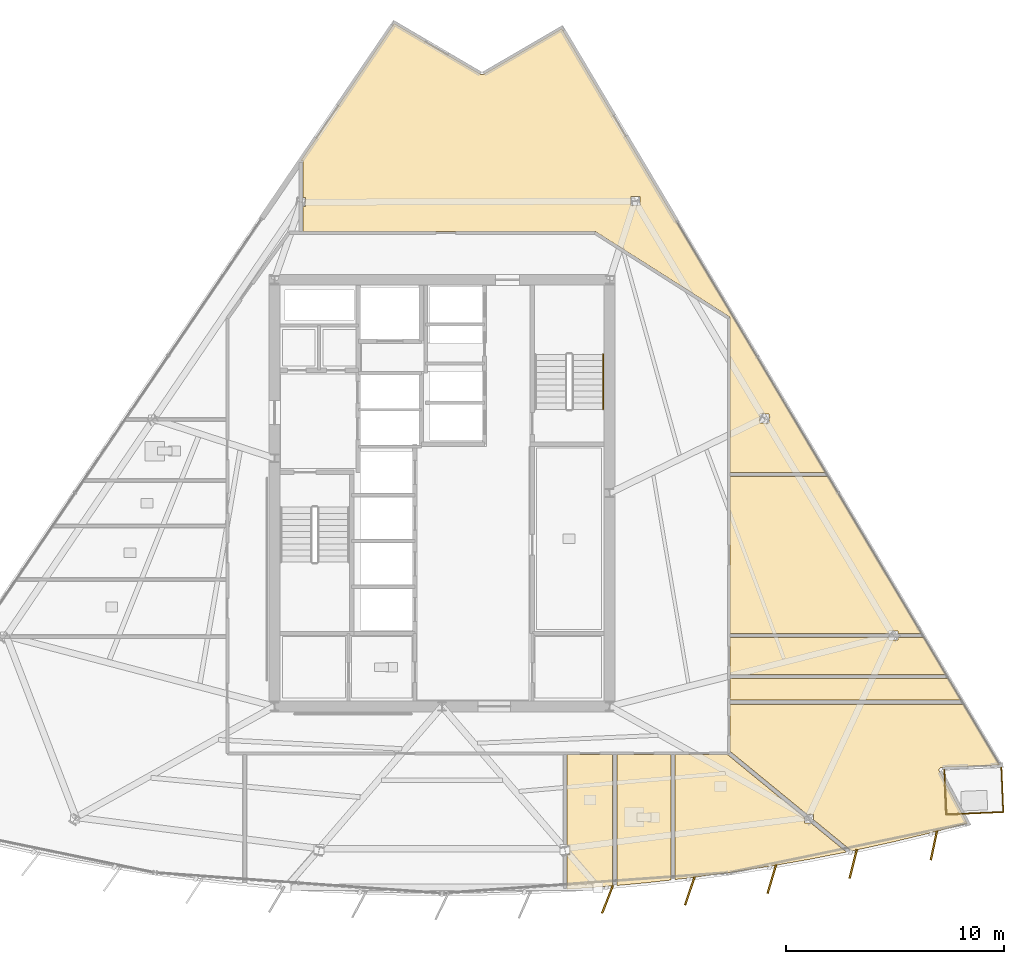
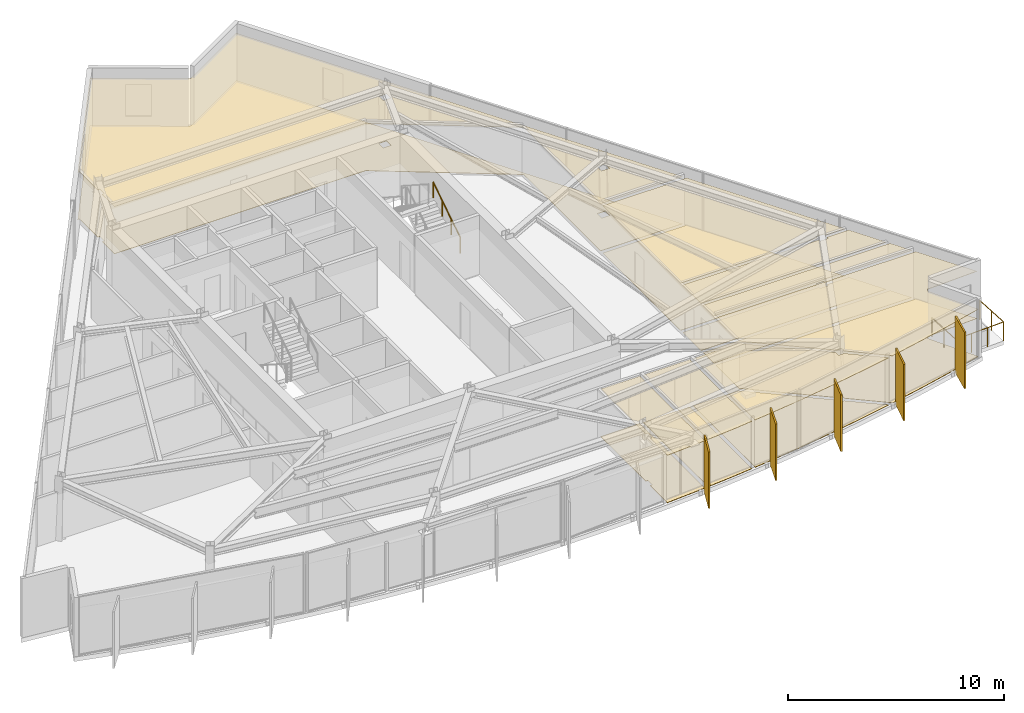
# One storey, part 14 of 15: 16 coverings, 5 shading devices, 4 railings.
"""IFC4 building model written with IfcOpenShell, lengths in metres."""

import ifcopenshell
import ifcopenshell.guid

model = None  # the IFC model being written
_history = None  # IfcOwnerHistory: only IFC2X3 demands one
_inside = {}  # id of a spatial element -> (the spatial element, [elements in it])
_under = {}  # id of a project, library or spatial element -> (it, [spatial elements below it])
_declared = {}  # id of a project -> (the project, [libraries it declares])
_typed = {}  # id of a type object -> (the type object, [elements of that type])
_made_of = {}  # id of a material, layer set ... -> (it, [elements and type objects made of it])


def new_model(schema):
    """Start an empty IFC model of exactly this schema.

    Asked for "IFC4X3", IfcOpenShell would pick the latest addendum, in which some entities
    have other attributes; the version numbers below select the first issue.
    IFC2X3 requires an IfcOwnerHistory on every rooted entity: one is made here for all.
    """
    global model, _history
    if schema == "IFC4X3":
        model = ifcopenshell.file(schema_version=(4, 3, 0, 0))
    else:
        model = ifcopenshell.file(schema=schema)
    _inside.clear()
    _under.clear()
    _declared.clear()
    _typed.clear()
    _made_of.clear()
    _history = None
    if model.schema == "IFC2X3":
        org = make("IfcOrganization", Name="unknown")
        user = make(
            "IfcPersonAndOrganization",
            ThePerson=make("IfcPerson", FamilyName="unknown"),
            TheOrganization=org,
        )
        app = make(
            "IfcApplication",
            ApplicationDeveloper=org,
            Version="unknown",
            ApplicationFullName="unknown",
            ApplicationIdentifier="unknown",
        )
        _history = make(
            "IfcOwnerHistory",
            OwningUser=user,
            OwningApplication=app,
            ChangeAction="ADDED",
            CreationDate=0,
        )
    return model


def make(cls, **values):
    """One entity of the class cls with the attributes given. An attribute that is None is left unset."""
    return model.create_entity(
        cls, **{name: value for name, value in values.items() if value is not None}
    )


def rooted(cls, **values):
    """An entity with a GlobalId (a new one), such as an element, a storey or a relation."""
    return make(cls, GlobalId=ifcopenshell.guid.new(), OwnerHistory=_history, **values)


def si_unit(unit_type, name, prefix=None):
    """IfcSIUnit, for example si_unit("LENGTHUNIT", "METRE", prefix="MILLI")."""
    return make("IfcSIUnit", UnitType=unit_type, Prefix=prefix, Name=name)


def assignment(units):
    """IfcUnitAssignment: the units of a project."""
    return None if units is None else make("IfcUnitAssignment", Units=units)


def point(xyz):
    """IfcCartesianPoint."""
    return None if xyz is None else make("IfcCartesianPoint", Coordinates=xyz)


def direction(xyz):
    """IfcDirection."""
    return None if xyz is None else make("IfcDirection", DirectionRatios=xyz)


def frame(location, z_axis=None, x_axis=None):
    """IfcAxis2Placement3D, a coordinate frame: its origin and axes. An axis left out is left unset."""
    return make(
        "IfcAxis2Placement3D",
        Location=point(location),
        Axis=direction(z_axis),
        RefDirection=direction(x_axis),
    )


def frame_2d(location, x_axis=None):
    """IfcAxis2Placement2D, a coordinate frame in the plane: its origin and x axis."""
    return make(
        "IfcAxis2Placement2D", Location=point(location), RefDirection=direction(x_axis)
    )


def origin():
    """The frame at (0, 0, 0) with its axes left unset."""
    return frame((0.0, 0.0, 0.0))


def origin_2d():
    """The frame at (0, 0) in the plane with its x axis left unset."""
    return frame_2d((0.0, 0.0))


def place(relative_to, where):
    """IfcLocalPlacement: puts the frame where relative to a parent placement (None: the world)."""
    return make(
        "IfcLocalPlacement", PlacementRelTo=relative_to, RelativePlacement=where
    )


def context(
    kind, dimensions, precision=None, world=None, true_north=None, identifier=None
):
    """IfcGeometricRepresentationContext, for example the 3D "Model" context."""
    return make(
        "IfcGeometricRepresentationContext",
        ContextIdentifier=identifier,
        ContextType=kind,
        CoordinateSpaceDimension=dimensions,
        Precision=precision,
        WorldCoordinateSystem=world,
        TrueNorth=true_north,
    )


def subcontext(parent, identifier, kind, view, scale=None):
    """IfcGeometricRepresentationSubContext, for example "Body" below "Model"."""
    return make(
        "IfcGeometricRepresentationSubContext",
        ContextIdentifier=identifier,
        ContextType=kind,
        ParentContext=parent,
        TargetScale=scale,
        TargetView=view,
    )


def project(units=None, contexts=None):
    """IfcProject with its units and contexts."""
    return rooted(
        "IfcProject",
        Name="project",
        RepresentationContexts=contexts,
        UnitsInContext=assignment(units),
    )


def spatial(cls, under=None, at=None, **own):
    """A site, building, storey or space (cls), placed at a placement, below another one or the project."""
    s = rooted(cls, ObjectPlacement=at, **own)
    if under is not None:
        _under.setdefault(under.id(), (under, []))[1].append(s)
    return s


def polyline(points):
    """IfcPolyline through the points."""
    return make("IfcPolyline", Points=[point(p) for p in points])


def profile(cls, at=None, kind="AREA", **sizes):
    """A parametric profile (cls). Its sizes go by their IFC names, for example OverallWidth=200.0."""
    return make(cls, ProfileType=kind, Position=at, **sizes)


def rectangle(**sizes):
    """IfcRectangleProfileDef."""
    return profile("IfcRectangleProfileDef", **sizes)


def circle(**sizes):
    """IfcCircleProfileDef."""
    return profile("IfcCircleProfileDef", **sizes)


def outline(outer, holes=None, kind="AREA"):
    """IfcArbitraryClosedProfileDef: a profile drawn as a closed curve; with holes, ...WithVoids."""
    if holes is None:
        return make("IfcArbitraryClosedProfileDef", ProfileType=kind, OuterCurve=outer)
    return make(
        "IfcArbitraryProfileDefWithVoids",
        ProfileType=kind,
        OuterCurve=outer,
        InnerCurves=holes,
    )


def extrude(swept, where, along, depth):
    """IfcExtrudedAreaSolid: the profile swept, set in the frame where, extruded along a direction by depth."""
    return make(
        "IfcExtrudedAreaSolid",
        SweptArea=swept,
        Position=where,
        ExtrudedDirection=direction(along),
        Depth=depth,
    )


def shape(context_of_items, identifier, shape_type, items):
    """IfcShapeRepresentation: the items that make up one representation, for example the "Body"."""
    return make(
        "IfcShapeRepresentation",
        ContextOfItems=context_of_items,
        RepresentationIdentifier=identifier,
        RepresentationType=shape_type,
        Items=items,
    )


def material(Name=None, Category=None):
    """IfcMaterial."""
    return make("IfcMaterial", Name=Name, Category=Category)


def layer(
    of_material, thickness, ventilated=None, Name=None, Category=None, Priority=None
):
    """IfcMaterialLayer: one layer of a wall or slab, of a material (None: an air gap)."""
    return make(
        "IfcMaterialLayer",
        Material=of_material,
        LayerThickness=thickness,
        IsVentilated=ventilated,
        Name=Name,
        Category=Category,
        Priority=Priority,
    )


def layer_set(layers, Name=None):
    """IfcMaterialLayerSet."""
    return make("IfcMaterialLayerSet", MaterialLayers=layers, LayerSetName=Name)


def made_of(thing, what):
    """Note that an element or type object is made of a material, layer set ...; save() writes the relation."""
    if what is not None:
        _made_of.setdefault(what.id(), (what, []))[1].append(thing)
    return thing


def type_object(cls, material=None, **own):
    """A type object (cls), such as IfcWallType, which elements share."""
    return made_of(rooted(cls, **own), material)


def element(
    cls,
    number,
    at=None,
    inside=None,
    cuts=None,
    type_object=None,
    material=None,
    context=None,
    identifier="Body",
    shape_type=None,
    held_by="IfcProductDefinitionShape",
    body=None,
    shapes=None,
    **own,
):
    """One element of the class cls, such as IfcWall. Its Tag is "e" and its number.

    at: its placement. inside: the storey or other place that contains it. cuts: it is an
    opening in that element (IfcRelVoidsElement). A single representation is given by context,
    identifier, shape_type and body (its items); several are given by shapes. held_by: the class
    of the entity that holds the representations. save() writes the other relations.
    """
    e = rooted(cls, Tag="e%d" % number, ObjectPlacement=at, **own)
    if body is not None:
        shapes = [shape(context, identifier, shape_type, body)]
    if shapes is not None:
        e.Representation = make(held_by, Representations=shapes)
    if inside is not None:
        _inside.setdefault(inside.id(), (inside, []))[1].append(e)
    if cuts is not None:
        rooted(
            "IfcRelVoidsElement", RelatingBuildingElement=cuts, RelatedOpeningElement=e
        )
    if type_object is not None:
        _typed.setdefault(type_object.id(), (type_object, []))[1].append(e)
    return made_of(e, material)


def aggregate(whole, parts):
    """IfcRelAggregates: a whole, such as a stair, and the parts it consists of."""
    return rooted("IfcRelAggregates", RelatingObject=whole, RelatedObjects=parts)


def save(model, path):
    """Write the relations noted so far, then the file.

    IfcRelAggregates (storeys below a building ...), IfcRelContainedInSpatialStructure (elements
    in a storey), IfcRelDefinesByType, IfcRelAssociatesMaterial and IfcRelDeclares: one each for
    every whole, place, type object, material and project.
    """
    for whole, parts in _under.values():
        aggregate(whole, parts)
    for where, things in _inside.values():
        rooted(
            "IfcRelContainedInSpatialStructure",
            RelatedElements=things,
            RelatingStructure=where,
        )
    for kind, things in _typed.values():
        rooted("IfcRelDefinesByType", RelatedObjects=things, RelatingType=kind)
    for what, things in _made_of.values():
        rooted("IfcRelAssociatesMaterial", RelatedObjects=things, RelatingMaterial=what)
    for by, libraries in _declared.values():
        rooted("IfcRelDeclares", RelatingContext=by, RelatedDefinitions=libraries)
    model.write(path)


model = new_model("IFC4")

# Units and contexts
model_context = context("Model", 3, precision=1e-05, world=origin(), true_north=direction((0.0, 1.0)))
body_context = subcontext(model_context, "Body", "Model", "MODEL_VIEW")
ifc_project = project(units=[si_unit("LENGTHUNIT", "METRE"), si_unit("AREAUNIT", "SQUARE_METRE"), si_unit("VOLUMEUNIT", "CUBIC_METRE"), si_unit("PLANEANGLEUNIT", "RADIAN"), si_unit("MASSUNIT", "GRAM", prefix="KILO")], contexts=[model_context])

# Site, building, storey
site_placement = place(None, origin())
site = spatial("IfcSite", under=ifc_project, at=site_placement, CompositionType="ELEMENT")
building_placement = place(site_placement, origin())
building = spatial("IfcBuilding", under=site, at=building_placement, Name="Savorim Split Tower", CompositionType="ELEMENT")
storey_placement = place(building_placement, frame((0.0, 0.0, 201.89990234375)))
storey = spatial("IfcBuildingStorey", under=building, at=storey_placement, Name="L53", CompositionType="ELEMENT", Elevation=201.89990234375)

# Coverings
ifc_material_1 = material(Name="Mineral Fibre Acoustic Ceiling")
ifc_layer_1 = layer(ifc_material_1, 0.02490234375)
ifc_layer_set_1 = layer_set([ifc_layer_1], Name="COV-CEIL-25")
covering_type_1 = type_object("IfcCoveringType", Name="COV-CEIL-25", PredefinedType="CEILING", material=ifc_layer_set_1)
covering_1_placement = place(storey_placement, frame((0.0, 0.0, 2.670166015625)))
element("IfcCovering", 1, at=covering_1_placement, inside=storey, type_object=covering_type_1, Name="L53 Shared Kitchen Acoustic Ceiling", PredefinedType="CEILING", context=body_context, shape_type="SweptSolid", body=[
    extrude(outline(polyline([(5.74462890625, -17.75927734375), (5.74462890625, -17.802734375), (7.55078125, -17.673095703125), (7.839111328125, -17.646484375), (7.839111328125, -11.6201171875), (5.74462890625, -11.6201171875), (5.74462890625, -15.794921875), (5.858642578125, -15.794921875), (5.858642578125, -16.201904296875), (5.74462890625, -16.201904296875), (5.74462890625, -17.75927734375)])), origin(), (0.0, 0.0, 1.0), 0.02490234375),
])
covering_2_placement = place(storey_placement, frame((0.0, 0.0, 2.670166015625)))
element("IfcCovering", 2, at=covering_2_placement, inside=storey, type_object=covering_type_1, Name="L53 Shared Bathroom Acoustic Ceiling", PredefinedType="CEILING", context=body_context, shape_type="SweptSolid", body=[
    extrude(outline(polyline([(8.029296875, -11.6201171875), (8.029296875, -17.62890625), (9.4326171875, -17.49951171875), (10.513916015625, -17.377197265625), (10.513916015625, -11.6201171875), (8.029296875, -11.6201171875)])), origin(), (0.0, 0.0, 1.0), 0.02490234375),
])
covering_3_placement = place(storey_placement, frame((0.0, 0.0, 2.670166015625)))
element("IfcCovering", 3, at=covering_3_placement, inside=storey, type_object=covering_type_1, Name="L53 Shared Kitchen Acoustic Ceiling", PredefinedType="CEILING", context=body_context, shape_type="SweptSolid", body=[
    extrude(outline(polyline([(11.310302734375, -17.287109375), (13.18359375, -17.03662109375), (15.051025390625, -16.74755859375), (16.912353515625, -16.420654296875), (18.577880859375, -16.092529296875), (16.95556640625, -14.762939453125), (16.648193359375, -14.762939453125), (16.648193359375, -14.510986328125), (13.14794921875, -11.642333984375), (13.118896484375, -11.61865234375), (13.11376953125, -11.619384765625), (13.10009765625, -11.6201171875), (10.703857421875, -11.6201171875), (10.703857421875, -17.355712890625), (11.310302734375, -17.287109375)])), origin(), (0.0, 0.0, 1.0), 0.02490234375),
])
covering_4_placement = place(storey_placement, frame((0.0, 0.0, 2.670166015625)))
element("IfcCovering", 4, at=covering_4_placement, inside=storey, type_object=covering_type_1, Name="L53 Co-Working Commons Acoustic Ceiling", PredefinedType="CEILING", context=body_context, shape_type="SweptSolid", body=[
    extrude(outline(polyline([(22.926513671875, -12.2060546875), (22.93798828125, -12.203857421875), (22.949462890625, -12.202880859375), (25.611083984375, -12.089599609375), (23.955810546875, -9.305908203125), (13.239990234375, -9.305908203125), (13.239990234375, -11.47216796875), (16.7587890625, -14.35595703125), (17.066162109375, -14.35595703125), (17.066162109375, -14.60791015625), (18.708740234375, -15.954345703125), (18.7822265625, -16.014404296875), (18.745361328125, -16.059814453125), (18.7666015625, -16.055419921875), (20.61279296875, -15.652587890625), (22.450439453125, -15.2119140625), (24.132568359375, -14.772216796875), (22.848876953125, -12.37939453125), (22.84375, -12.368896484375), (22.83984375, -12.358154296875), (22.8369140625, -12.346923828125), (22.835205078125, -12.335693359375), (22.83447265625, -12.32421875), (22.8349609375, -12.3125), (22.83642578125, -12.301025390625), (22.839111328125, -12.289794921875), (22.8427734375, -12.27880859375), (22.847412109375, -12.268310546875), (22.853271484375, -12.25830078125), (22.85986328125, -12.248779296875), (22.867431640625, -12.240234375), (22.875732421875, -12.232177734375), (22.884765625, -12.22509765625), (22.89453125, -12.21875), (22.90478515625, -12.21337890625), (22.91552734375, -12.209228515625), (22.926513671875, -12.2060546875)])), origin(), (0.0, 0.0, 1.0), 0.02490234375),
])
covering_5_placement = place(storey_placement, frame((0.0, 0.0, 2.670166015625)))
element("IfcCovering", 5, at=covering_5_placement, inside=storey, type_object=covering_type_1, Name="L53 Co-Living Bedroom Acoustic Ceiling", PredefinedType="CEILING", context=body_context, shape_type="SweptSolid", body=[
    extrude(outline(polyline([(23.843017578125, -9.11572265625), (23.25537109375, -8.127685546875), (13.239990234375, -8.127685546875), (13.239990234375, -9.11572265625), (23.843017578125, -9.11572265625)])), origin(), (0.0, 0.0, 1.0), 0.02490234375),
])
covering_6_placement = place(storey_placement, frame((0.0, 0.0, 2.670166015625)))
element("IfcCovering", 6, at=covering_6_placement, inside=storey, type_object=covering_type_1, Name="L53 Quiet Study Room Acoustic Ceiling", PredefinedType="CEILING", context=body_context, shape_type="SweptSolid", body=[
    extrude(outline(polyline([(20.540283203125, -6.3515625), (20.540283203125, -6.242919921875), (13.239990234375, -6.242919921875), (13.239990234375, -7.9375), (23.142333984375, -7.937744140625), (22.114990234375, -6.2099609375), (22.114990234375, -6.242919921875), (20.958251953125, -6.242919921875), (20.958251953125, -6.3515625), (20.540283203125, -6.3515625)])), origin(), (0.0, 0.0, 1.0), 0.02490234375),
])
covering_7_placement = place(storey_placement, frame((0.0, 0.0, 2.670166015625)))
element("IfcCovering", 7, at=covering_7_placement, inside=storey, type_object=covering_type_1, Name="L53 Maker Workshop Acoustic Ceiling", PredefinedType="CEILING", context=body_context, shape_type="SweptSolid", body=[
    extrude(outline(polyline([(20.958251953125, -6.052978515625), (22.02001953125, -6.052978515625), (22.021728515625, -6.052978515625), (17.72900390625, 1.166259765625), (13.239990234375, 1.166259765625), (13.239990234375, -6.052978515625), (20.540283203125, -6.052978515625), (20.540283203125, -5.944580078125), (20.958251953125, -5.944580078125), (20.958251953125, -6.052978515625)])), origin(), (0.0, 0.0, 1.0), 0.02490234375),
])
covering_8_placement = place(storey_placement, frame((0.0, 0.0, 2.670166015625)))
element("IfcCovering", 8, at=covering_8_placement, inside=storey, type_object=covering_type_1, Name="L53 Co-Working Commons Acoustic Ceiling", PredefinedType="CEILING", context=body_context, shape_type="SweptSolid", body=[
    extrude(outline(polyline([(1.800537109375, 19.626708984375), (1.789794921875, 19.631103515625), (1.779541015625, 19.636474609375), (-2.197021484375, 21.9736328125), (-6.48291015625, 15.673095703125), (-6.39208984375, 15.673095703125), (-6.39208984375, 13.97021484375), (-6.278076171875, 13.97021484375), (-6.278076171875, 13.563232421875), (-6.39208984375, 13.563232421875), (-6.39208984375, 12.419921875), (7.0, 12.419921875), (7.01318359375, 12.41943359375), (7.0263671875, 12.41748046875), (7.0390625, 12.414306640625), (7.051513671875, 12.41015625), (7.063720703125, 12.40478515625), (7.0751953125, 12.398193359375), (13.175048828125, 8.51806640625), (13.1865234375, 8.510009765625), (13.197265625, 8.500732421875), (13.206787109375, 8.490478515625), (13.21533203125, 8.479248046875), (13.22265625, 8.46728515625), (13.22900390625, 8.45458984375), (13.233642578125, 8.44140625), (13.2373046875, 8.427978515625), (13.2392578125, 8.4140625), (13.239990234375, 8.39990234375), (13.239990234375, 1.356201171875), (17.615966796875, 1.356201171875), (5.499267578125, 21.7333984375), (1.90087890625, 19.63623046875), (1.890625, 19.631103515625), (1.8798828125, 19.626708984375), (1.868896484375, 19.623291015625), (1.857421875, 19.62109375), (1.845947265625, 19.6201171875), (1.83447265625, 19.6201171875), (1.822998046875, 19.621337890625), (1.8115234375, 19.62353515625), (1.800537109375, 19.626708984375)]), holes=[polyline([(15.02294921875, 3.63037109375), (15.02294921875, 4.037353515625), (14.60498046875, 4.037353515625), (14.60498046875, 3.63037109375), (15.02294921875, 3.63037109375)]), polyline([(9.087646484375, 14.01904296875), (8.669677734375, 14.01904296875), (8.669677734375, 13.612060546875), (9.087646484375, 13.612060546875), (9.087646484375, 14.01904296875)])]), origin(), (0.0, 0.0, 1.0), 0.02490234375),
])
ifc_material_2 = material(Name="Porcelain Stoneware Flooring", Category="masonry")
ifc_layer_2 = layer(ifc_material_2, 0.02001953125)
ifc_layer_set_2 = layer_set([ifc_layer_2], Name="COV-FLOR-20")
covering_type_2 = type_object("IfcCoveringType", Name="COV-FLOR-20", PredefinedType="FLOORING", material=ifc_layer_set_2)
covering_9_placement = place(storey_placement, origin())
element("IfcCovering", 9, at=covering_9_placement, inside=storey, type_object=covering_type_2, Name="L53 Shared Kitchen Porcelain Flooring", PredefinedType="FLOORING", context=body_context, shape_type="SweptSolid", body=[
    extrude(outline(polyline([(5.74462890625, -17.75927734375), (5.74462890625, -17.802734375), (7.55078125, -17.673095703125), (7.839111328125, -17.646484375), (7.839111328125, -11.6201171875), (5.74462890625, -11.6201171875), (5.74462890625, -15.794921875), (5.858642578125, -15.794921875), (5.858642578125, -16.201904296875), (5.74462890625, -16.201904296875), (5.74462890625, -17.75927734375)])), origin(), (0.0, 0.0, 1.0), 0.02001953125),
])
covering_10_placement = place(storey_placement, origin())
element("IfcCovering", 10, at=covering_10_placement, inside=storey, type_object=covering_type_2, Name="L53 Shared Bathroom Porcelain Flooring", PredefinedType="FLOORING", context=body_context, shape_type="SweptSolid", body=[
    extrude(outline(polyline([(8.029296875, -11.6201171875), (8.029296875, -17.62890625), (9.4326171875, -17.49951171875), (10.513916015625, -17.377197265625), (10.513916015625, -11.6201171875), (8.029296875, -11.6201171875)])), origin(), (0.0, 0.0, 1.0), 0.02001953125),
])
covering_11_placement = place(storey_placement, origin())
element("IfcCovering", 11, at=covering_11_placement, inside=storey, type_object=covering_type_2, Name="L53 Shared Kitchen Porcelain Flooring", PredefinedType="FLOORING", context=body_context, shape_type="SweptSolid", body=[
    extrude(outline(polyline([(11.310302734375, -17.287109375), (13.18359375, -17.03662109375), (15.051025390625, -16.74755859375), (16.912353515625, -16.420654296875), (18.577880859375, -16.092529296875), (16.95556640625, -14.762939453125), (16.648193359375, -14.762939453125), (16.648193359375, -14.510986328125), (13.14794921875, -11.642333984375), (13.118896484375, -11.61865234375), (13.11376953125, -11.619384765625), (13.10009765625, -11.6201171875), (10.703857421875, -11.6201171875), (10.703857421875, -17.355712890625), (11.310302734375, -17.287109375)])), origin(), (0.0, 0.0, 1.0), 0.02001953125),
])
covering_12_placement = place(storey_placement, origin())
element("IfcCovering", 12, at=covering_12_placement, inside=storey, type_object=covering_type_2, Name="L53 Co-Working Commons Porcelain Flooring", PredefinedType="FLOORING", context=body_context, shape_type="SweptSolid", body=[
    extrude(outline(polyline([(22.926513671875, -12.2060546875), (22.93798828125, -12.203857421875), (22.949462890625, -12.202880859375), (25.611083984375, -12.089599609375), (23.955810546875, -9.305908203125), (13.239990234375, -9.305908203125), (13.239990234375, -11.47216796875), (16.7587890625, -14.35595703125), (17.066162109375, -14.35595703125), (17.066162109375, -14.60791015625), (18.708740234375, -15.954345703125), (18.7822265625, -16.014404296875), (18.745361328125, -16.059814453125), (18.7666015625, -16.055419921875), (20.61279296875, -15.652587890625), (22.450439453125, -15.2119140625), (24.132568359375, -14.772216796875), (22.848876953125, -12.37939453125), (22.84375, -12.368896484375), (22.83984375, -12.358154296875), (22.8369140625, -12.346923828125), (22.835205078125, -12.335693359375), (22.83447265625, -12.32421875), (22.8349609375, -12.3125), (22.83642578125, -12.301025390625), (22.839111328125, -12.289794921875), (22.8427734375, -12.27880859375), (22.847412109375, -12.268310546875), (22.853271484375, -12.25830078125), (22.85986328125, -12.248779296875), (22.867431640625, -12.240234375), (22.875732421875, -12.232177734375), (22.884765625, -12.22509765625), (22.89453125, -12.21875), (22.90478515625, -12.21337890625), (22.91552734375, -12.209228515625), (22.926513671875, -12.2060546875)])), origin(), (0.0, 0.0, 1.0), 0.02001953125),
])
covering_13_placement = place(storey_placement, origin())
element("IfcCovering", 13, at=covering_13_placement, inside=storey, type_object=covering_type_2, Name="L53 Co-Living Bedroom Porcelain Flooring", PredefinedType="FLOORING", context=body_context, shape_type="SweptSolid", body=[
    extrude(outline(polyline([(23.843017578125, -9.11572265625), (23.25537109375, -8.127685546875), (13.239990234375, -8.127685546875), (13.239990234375, -9.11572265625), (23.843017578125, -9.11572265625)])), origin(), (0.0, 0.0, 1.0), 0.02001953125),
])
covering_14_placement = place(storey_placement, origin())
element("IfcCovering", 14, at=covering_14_placement, inside=storey, type_object=covering_type_2, Name="L53 Quiet Study Room Porcelain Flooring", PredefinedType="FLOORING", context=body_context, shape_type="SweptSolid", body=[
    extrude(outline(polyline([(20.540283203125, -6.3515625), (20.540283203125, -6.242919921875), (13.239990234375, -6.242919921875), (13.239990234375, -7.9375), (23.142333984375, -7.937744140625), (22.114990234375, -6.2099609375), (22.114990234375, -6.242919921875), (20.958251953125, -6.242919921875), (20.958251953125, -6.3515625), (20.540283203125, -6.3515625)])), origin(), (0.0, 0.0, 1.0), 0.02001953125),
])
covering_15_placement = place(storey_placement, origin())
element("IfcCovering", 15, at=covering_15_placement, inside=storey, type_object=covering_type_2, Name="L53 Maker Workshop Porcelain Flooring", PredefinedType="FLOORING", context=body_context, shape_type="SweptSolid", body=[
    extrude(outline(polyline([(20.958251953125, -6.052978515625), (22.02001953125, -6.052978515625), (22.021728515625, -6.052978515625), (17.72900390625, 1.166259765625), (13.239990234375, 1.166259765625), (13.239990234375, -6.052978515625), (20.540283203125, -6.052978515625), (20.540283203125, -5.944580078125), (20.958251953125, -5.944580078125), (20.958251953125, -6.052978515625)])), origin(), (0.0, 0.0, 1.0), 0.02001953125),
])
covering_16_placement = place(storey_placement, origin())
element("IfcCovering", 16, at=covering_16_placement, inside=storey, type_object=covering_type_2, Name="L53 Co-Working Commons Porcelain Flooring", PredefinedType="FLOORING", context=body_context, shape_type="SweptSolid", body=[
    extrude(outline(polyline([(1.800537109375, 19.626708984375), (1.789794921875, 19.631103515625), (1.779541015625, 19.636474609375), (-2.197021484375, 21.9736328125), (-6.48291015625, 15.673095703125), (-6.39208984375, 15.673095703125), (-6.39208984375, 13.97021484375), (-6.278076171875, 13.97021484375), (-6.278076171875, 13.563232421875), (-6.39208984375, 13.563232421875), (-6.39208984375, 12.419921875), (7.0, 12.419921875), (7.01318359375, 12.41943359375), (7.0263671875, 12.41748046875), (7.0390625, 12.414306640625), (7.051513671875, 12.41015625), (7.063720703125, 12.40478515625), (7.0751953125, 12.398193359375), (13.175048828125, 8.51806640625), (13.1865234375, 8.510009765625), (13.197265625, 8.500732421875), (13.206787109375, 8.490478515625), (13.21533203125, 8.479248046875), (13.22265625, 8.46728515625), (13.22900390625, 8.45458984375), (13.233642578125, 8.44140625), (13.2373046875, 8.427978515625), (13.2392578125, 8.4140625), (13.239990234375, 8.39990234375), (13.239990234375, 1.356201171875), (17.615966796875, 1.356201171875), (5.499267578125, 21.7333984375), (1.90087890625, 19.63623046875), (1.890625, 19.631103515625), (1.8798828125, 19.626708984375), (1.868896484375, 19.623291015625), (1.857421875, 19.62109375), (1.845947265625, 19.6201171875), (1.83447265625, 19.6201171875), (1.822998046875, 19.621337890625), (1.8115234375, 19.62353515625), (1.800537109375, 19.626708984375)]), holes=[polyline([(15.02294921875, 3.63037109375), (15.02294921875, 4.037353515625), (14.60498046875, 4.037353515625), (14.60498046875, 3.63037109375), (15.02294921875, 3.63037109375)]), polyline([(9.087646484375, 14.01904296875), (8.669677734375, 14.01904296875), (8.669677734375, 13.612060546875), (9.087646484375, 13.612060546875), (9.087646484375, 14.01904296875)])]), origin(), (0.0, 0.0, 1.0), 0.02001953125),
])

# Railings
ifc_material_3 = material(Name="Galvanised Painted Steel Balustrade", Category="steel")
railing_type_1 = type_object("IfcRailingType", Name="RLG-BAL-1100", PredefinedType="BALUSTRADE", material=ifc_material_3)
railing_1_placement = place(storey_placement, frame((25.697021484375, -12.2060546875, 0.0)))
element("IfcRailing", 17, at=railing_1_placement, inside=storey, type_object=railing_type_1, Name="L53 Tree Balcony Guardrail SE-1", PredefinedType="BALUSTRADE", context=body_context, shape_type="SweptSolid", body=[
    extrude(circle(Radius=0.02392578125, at=origin_2d()), frame((0.0, 0.0, 1.076171875), z_axis=(0.042517246, -0.999095733047, 0.0), x_axis=(0.999095733047, 0.042517246, 0.0)), (0.0, 0.0, 1.0), 2.050048828125),
    extrude(circle(Radius=0.02099609375, at=origin_2d()), origin(), (0.0, 0.0, 1.0), 1.052001953125),
    extrude(circle(Radius=0.02099609375, at=origin_2d()), frame((0.04345703125, -1.02392578125, 0.0)), (0.0, 0.0, 1.0), 1.052001953125),
    extrude(circle(Radius=0.02099609375, at=origin_2d()), frame((0.087158203125, -2.048095703125, 0.0)), (0.0, 0.0, 1.0), 1.052001953125),
])
railing_2_placement = place(storey_placement, frame((25.7841796875, -14.254150390625, 0.0)))
element("IfcRailing", 18, at=railing_2_placement, inside=storey, type_object=railing_type_1, Name="L53 Tree Balcony Guardrail SE-2", PredefinedType="BALUSTRADE", context=body_context, shape_type="SweptSolid", body=[
    extrude(circle(Radius=0.02392578125, at=origin_2d()), frame((0.0, 0.0, 1.076171875), z_axis=(-0.999096260916, -0.042504839996, 0.0), x_axis=(0.042504839996, -0.999096260916, 0.0)), (0.0, 0.0, 1.0), 2.625),
    extrude(circle(Radius=0.02099609375, at=origin_2d()), origin(), (0.0, 0.0, 1.0), 1.052001953125),
    extrude(circle(Radius=0.02099609375, at=origin_2d()), frame((-0.874267578125, -0.037109375, 0.0)), (0.0, 0.0, 1.0), 1.052001953125),
    extrude(circle(Radius=0.02099609375, at=origin_2d()), frame((-1.748291015625, -0.074462890625, 0.0)), (0.0, 0.0, 1.0), 1.052001953125),
    extrude(circle(Radius=0.02099609375, at=origin_2d()), frame((-2.62255859375, -0.111572265625, 0.0)), (0.0, 0.0, 1.0), 1.052001953125),
])
railing_3_placement = place(storey_placement, frame((23.16162109375, -14.36572265625, 0.0)))
element("IfcRailing", 19, at=railing_3_placement, inside=storey, type_object=railing_type_1, Name="L53 Tree Balcony Guardrail SE-3", PredefinedType="BALUSTRADE", context=body_context, shape_type="SweptSolid", body=[
    extrude(circle(Radius=0.02392578125, at=origin_2d()), frame((0.0, 0.0, 1.076171875), z_axis=(-0.042517246, 0.999095733047, 0.0), x_axis=(-0.999095733047, -0.042517246, 0.0)), (0.0, 0.0, 1.0), 2.050048828125),
    extrude(circle(Radius=0.02099609375, at=origin_2d()), origin(), (0.0, 0.0, 1.0), 1.052001953125),
    extrude(circle(Radius=0.02099609375, at=origin_2d()), frame((-0.04345703125, 1.02392578125, 0.0)), (0.0, 0.0, 1.0), 1.052001953125),
    extrude(circle(Radius=0.02099609375, at=origin_2d()), frame((-0.087158203125, 2.048095703125, 0.0)), (0.0, 0.0, 1.0), 1.052001953125),
])
railing_type_2 = type_object("IfcRailingType", Name="RLG-HR-900", PredefinedType="HANDRAIL", material=ifc_material_3)
railing_4_placement = place(storey_placement, frame((7.39990234375, 4.25, 0.18017578125)))
element("IfcRailing", 20, at=railing_4_placement, inside=storey, type_object=railing_type_2, Name="L53 ST-2 stair handrail 1", PredefinedType="HANDRAIL", context=body_context, shape_type="SweptSolid", body=[
    extrude(circle(Radius=0.02392578125, at=origin_2d()), frame((0.0, 0.0, 0.8759765625), z_axis=(0.0, 0.841199657755, 0.540724639528), x_axis=(-1.0, 0.0, 0.0)), (0.0, 0.0, 1.0), 2.995849609375),
    extrude(circle(Radius=0.02099609375, at=origin_2d()), origin(), (0.0, 0.0, 1.0), 0.851806640625),
    extrude(circle(Radius=0.02099609375, at=origin_2d()), frame((0.0, 0.840087890625, 0.5400390625)), (0.0, 0.0, 1.0), 0.851806640625),
    extrude(circle(Radius=0.02099609375, at=origin_2d()), frame((0.0, 1.679931640625, 1.079833984375)), (0.0, 0.0, 1.0), 0.851806640625),
    extrude(circle(Radius=0.02099609375, at=origin_2d()), frame((0.0, 2.52001953125, 1.619873046875)), (0.0, 0.0, 1.0), 0.851806640625),
])

# Shading devices
ifc_material_4 = material(Name="Terracotta Ceramic-Coated Aluminium Fin", Category="masonry")
shading_device_type = type_object("IfcShadingDeviceType", Name="SHD-FIN-1360", PredefinedType="USERDEFINED", material=ifc_material_4)
for number, where, z_axis, x_axis, name in (
    (21, (7.599609375, -18.26708984375, -0.19970703125), (0.0, 0.0, 1.0), (-0.363415461732, -0.931627179817, 0.0), "L53 Sawtooth Shading Fin 09"),
    (22, (11.38330078125, -17.878662109375, -0.19970703125), (0.0, 0.0, 1.0), (-0.324993810493, -0.945716143005, 0.0), "L53 Sawtooth Shading Fin 10"),
    (23, (15.148193359375, -17.335693359375, -0.19970703125), (0.0, 0.0, 1.0), (-0.286026212504, -0.958221793616, 0.0), "L53 Sawtooth Shading Fin 11"),
    (24, (18.8876953125, -16.63916015625, -0.19970703125), (0.0, 0.0, 1.0), (-0.246581250663, -0.969122121727, 0.0), "L53 Sawtooth Shading Fin 12"),
    (25, (22.595458984375, -15.7900390625, -0.19970703125), (0.0, 0.0, 1.0), (-0.206721626106, -0.978399800337, 0.0), "L53 Sawtooth Shading Fin 13"),
):
    element("IfcShadingDevice", number, at=place(storey_placement, frame(where, z_axis=z_axis, x_axis=x_axis)), inside=storey, type_object=shading_device_type, Name=name, ObjectType="FIN", PredefinedType="USERDEFINED", context=body_context, shape_type="SweptSolid", body=[
        extrude(rectangle(XDim=1.360107421875, YDim=0.080078125, at=origin_2d()), origin(), (0.0, 0.0, 1.0), 3.199951171875),
    ])

save(model, "model.ifc")
